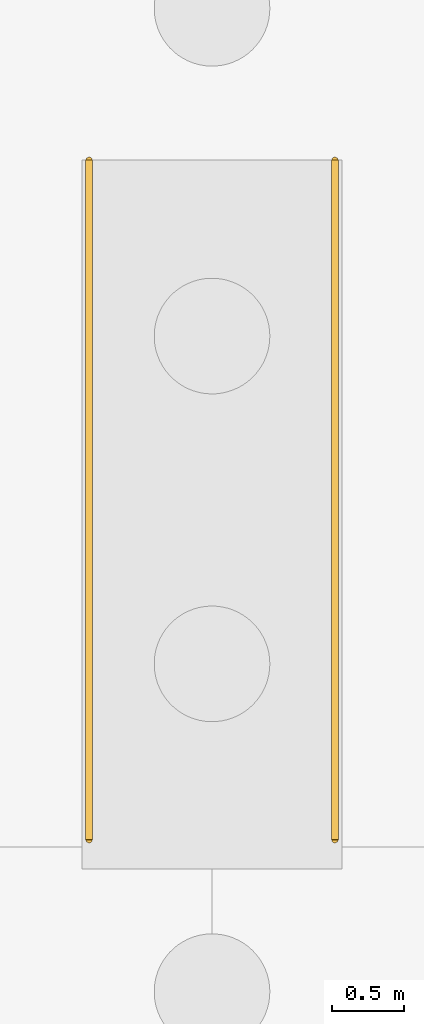
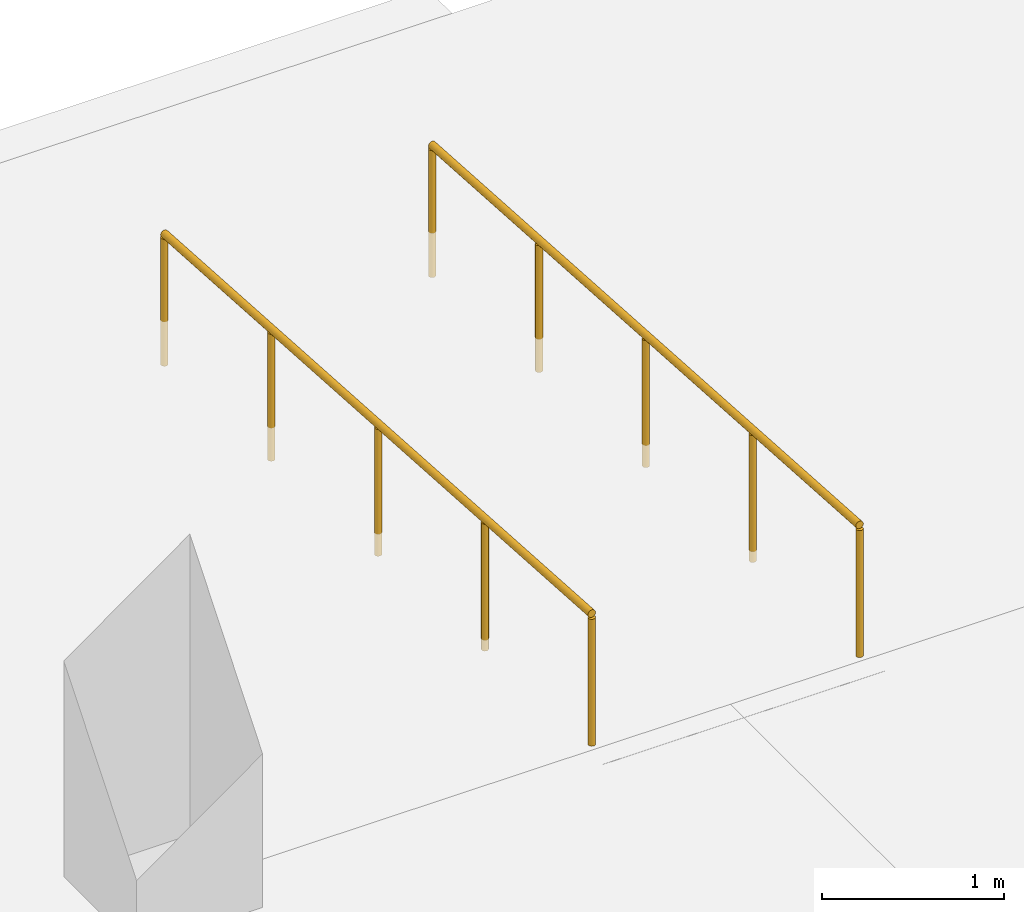
# One storey, part 44 of 45: 2 railings.
"""IFC4 building model written with IfcOpenShell, lengths in metres."""

from ifc_helpers import new_model, si_unit, direction, frame, origin, origin_2d, place, context, subcontext, project, spatial, circle, extrude, material, type_object, element, save


model = new_model("IFC4")

# Units and contexts
model_context = context("Model", 3, precision=1e-05, world=origin(), true_north=direction((0.0, 1.0)))
body_context = subcontext(model_context, "Body", "Model", "MODEL_VIEW")
ifc_project = project(units=[si_unit("LENGTHUNIT", "METRE"), si_unit("AREAUNIT", "SQUARE_METRE"), si_unit("VOLUMEUNIT", "CUBIC_METRE"), si_unit("PLANEANGLEUNIT", "RADIAN"), si_unit("MASSUNIT", "GRAM", prefix="KILO")], contexts=[model_context])

# Site, building, storey
site_placement = place(None, origin())
site = spatial("IfcSite", under=ifc_project, at=site_placement, CompositionType="ELEMENT")
building_placement = place(site_placement, origin())
building = spatial("IfcBuilding", under=site, at=building_placement, Name="Yarey Park Central Fire Station", CompositionType="ELEMENT")
storey_placement = place(building_placement, origin())
storey = spatial("IfcBuildingStorey", under=building, at=storey_placement, Name="L01", CompositionType="ELEMENT", Elevation=0.0)

# Railings
ifc_material = material(Name="Stainless Steel AISI 316L", Category="steel")
railing_type = type_object("IfcRailingType", Name="ENV_RAIL_RAMP", PredefinedType="HANDRAIL", material=ifc_material)
for number, where, name in (
    (1, (155.64990234375, 119.949951171875, -0.300048828125), "RAIL_RAMP_04_L"),
    (2, (153.949951171875, 119.949951171875, -0.300048828125), "RAIL_RAMP_04_R"),
):
    element("IfcRailing", number, at=place(storey_placement, frame(where)), inside=storey, type_object=railing_type, Name=name, PredefinedType="HANDRAIL", context=body_context, shape_type="SweptSolid", body=[
        extrude(circle(Radius=0.02392578125, at=origin_2d()), frame((0.0, 0.0, 0.8759765625), z_axis=(0.0, -0.997968381633, 0.063711139215), x_axis=(1.0, 0.0, 0.0)), (0.0, 0.0, 1.0), 4.70947265625),
        extrude(circle(Radius=0.02099609375, at=origin_2d()), origin(), (0.0, 0.0, 1.0), 0.851806640625),
        extrude(circle(Radius=0.02099609375, at=origin_2d()), frame((0.0, -1.175048828125, 0.074951171875)), (0.0, 0.0, 1.0), 0.851806640625),
        extrude(circle(Radius=0.02099609375, at=origin_2d()), frame((0.0, -2.35009765625, 0.14990234375)), (0.0, 0.0, 1.0), 0.851806640625),
        extrude(circle(Radius=0.02099609375, at=origin_2d()), frame((0.0, -3.52490234375, 0.22509765625)), (0.0, 0.0, 1.0), 0.851806640625),
        extrude(circle(Radius=0.02099609375, at=origin_2d()), frame((0.0, -4.699951171875, 0.300048828125)), (0.0, 0.0, 1.0), 0.851806640625),
    ])

save(model, "model.ifc")
